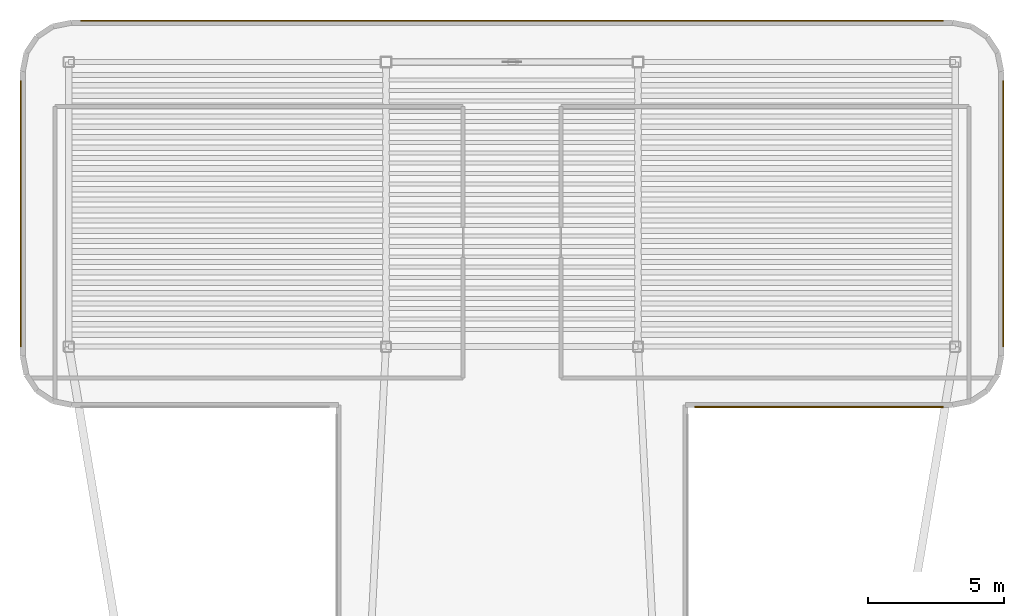
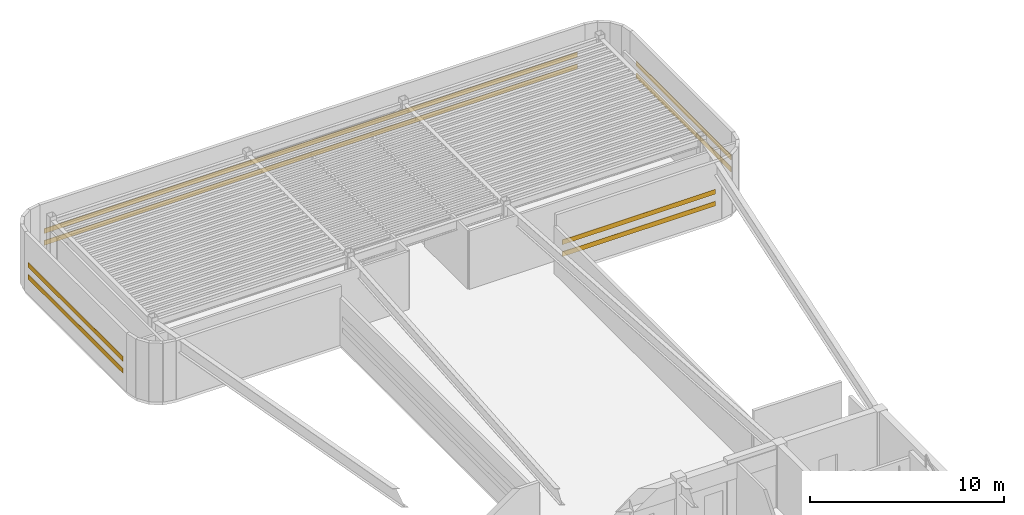
# One storey, part 6 of 6: 8 shading devices.
"""IFC4 building model written with IfcOpenShell, lengths in metres."""

from ifc_helpers import new_model, si_unit, direction, frame, origin, origin_2d, place, context, subcontext, project, spatial, rectangle, extrude, source, transform, mapped, material, material_profile, profile_set, type_object, element, save


model = new_model("IFC4")

# Units and contexts
model_context = context("Model", 3, precision=1e-05, world=origin(), true_north=direction((0.0, 1.0)))
body_context = subcontext(model_context, "Body", "Model", "MODEL_VIEW")
ifc_project = project(units=[si_unit("LENGTHUNIT", "METRE"), si_unit("AREAUNIT", "SQUARE_METRE"), si_unit("VOLUMEUNIT", "CUBIC_METRE"), si_unit("PLANEANGLEUNIT", "RADIAN"), si_unit("MASSUNIT", "GRAM", prefix="KILO")], contexts=[model_context])

# Site, building, storey
site_placement = place(None, origin())
site = spatial("IfcSite", under=ifc_project, at=site_placement, CompositionType="ELEMENT")
building_placement = place(site_placement, origin())
building = spatial("IfcBuilding", under=site, at=building_placement, Name="Brelvock Crest Care Tower", CompositionType="ELEMENT")
storey_placement = place(building_placement, frame((0.0, 0.0, 303.840087890625)))
storey = spatial("IfcBuildingStorey", under=building, at=storey_placement, Name="L77", CompositionType="ELEMENT", Elevation=303.840087890625)

# Shading devices
ifc_material = material(Name="Aluminium 6063-T6", Category="aluminium")
ifc_material_profile_1 = material_profile(ifc_material, rectangle(XDim=0.044921875, YDim=0.300048828125, at=origin_2d()), Name="LOUVRE45x300")
ifc_profile_set_1 = profile_set([ifc_material_profile_1], Name="Aluminium 6063-T6")
shading_device_type_1 = type_object("IfcShadingDeviceType", Name="SHD-LV1", PredefinedType="JALOUSIE", material=ifc_profile_set_1)
shared_shape_1 = source(origin(), body_context, "Body", "SweptSolid", [
    extrude(rectangle(XDim=0.044921875, YDim=0.300048828125, at=origin_2d()), origin(), (0.0, 0.0, 1.0), 9.800048828125),
])
for number, where, z_axis, x_axis, name in (
    (1, (17.875, 43.949951171875, 1.099853515625), (0.0, 1.0, 0.0), (-1.0, 0.0, 0.0), "L77 Crown Acoustic Louvre 18-1"),
    (2, (17.875, 43.949951171875, 1.849853515625), (0.0, 1.0, 0.0), (-1.0, 0.0, 0.0), "L77 Crown Acoustic Louvre 18-2"),
    (3, (54.125, 53.75, 1.099853515625), (0.0, -1.0, 0.0), (1.0, 0.0, 0.0), "L77 Crown Acoustic Louvre 28-1"),
    (4, (54.125, 53.75, 1.849853515625), (0.0, -1.0, 0.0), (1.0, 0.0, 0.0), "L77 Crown Acoustic Louvre 28-2"),
):
    element("IfcShadingDevice", number, at=place(storey_placement, frame(where, z_axis=z_axis, x_axis=x_axis)), inside=storey, type_object=shading_device_type_1, Name=name, PredefinedType="JALOUSIE", context=body_context, shape_type="MappedRepresentation", body=[
        mapped(shared_shape_1, transform((0.0, 0.0, 0.0), x_axis=(1.0, 0.0, 0.0), y_axis=(0.0, 1.0, 0.0), z_axis=(0.0, 0.0, 1.0), scale=1.0)),
    ])
ifc_material_profile_2 = material_profile(ifc_material, rectangle(XDim=0.044921875, YDim=0.300048828125, at=origin_2d()), Name="LOUVRE45x300")
ifc_profile_set_2 = profile_set([ifc_material_profile_2], Name="Aluminium 6063-T6")
shading_device_type_2 = type_object("IfcShadingDeviceType", Name="SHD-SH1", PredefinedType="SHUTTER", material=ifc_profile_set_2)
shared_shape_2 = source(origin(), body_context, "Body", "SweptSolid", [
    extrude(rectangle(XDim=0.044921875, YDim=0.300048828125, at=origin_2d()), origin(), (0.0, 0.0, 1.0), 9.14990234375),
])
for number, where, z_axis, x_axis, name in (
    (5, (51.89990234375, 41.72509765625, 1.099853515625), (-1.0, 0.0, 0.0), (0.0, -1.0, 0.0), "L77 Crown Acoustic Louvre 33-1"),
    (6, (51.89990234375, 41.72509765625, 1.849853515625), (-1.0, 0.0, 0.0), (0.0, -1.0, 0.0), "L77 Crown Acoustic Louvre 33-2"),
):
    element("IfcShadingDevice", number, at=place(storey_placement, frame(where, z_axis=z_axis, x_axis=x_axis)), inside=storey, type_object=shading_device_type_2, Name=name, PredefinedType="SHUTTER", context=body_context, shape_type="MappedRepresentation", body=[
        mapped(shared_shape_2, transform((0.0, 0.0, 0.0), x_axis=(1.0, 0.0, 0.0), y_axis=(0.0, 1.0, 0.0), z_axis=(0.0, 0.0, 1.0), scale=1.0)),
    ])
shared_shape_3 = source(origin(), body_context, "Body", "SweptSolid", [
    extrude(rectangle(XDim=0.044921875, YDim=0.300048828125, at=origin_2d()), origin(), (0.0, 0.0, 1.0), 31.7998046875),
])
for number, where, z_axis, x_axis, name in (
    (7, (20.10009765625, 55.97509765625, 1.099853515625), (1.0, 0.0, 0.0), (0.0, 1.0, 0.0), "L77 Crown Acoustic Louvre 23-1"),
    (8, (20.10009765625, 55.97509765625, 1.849853515625), (1.0, 0.0, 0.0), (0.0, 1.0, 0.0), "L77 Crown Acoustic Louvre 23-2"),
):
    element("IfcShadingDevice", number, at=place(storey_placement, frame(where, z_axis=z_axis, x_axis=x_axis)), inside=storey, type_object=shading_device_type_2, Name=name, PredefinedType="SHUTTER", context=body_context, shape_type="MappedRepresentation", body=[
        mapped(shared_shape_3, transform((0.0, 0.0, 0.0), x_axis=(1.0, 0.0, 0.0), y_axis=(0.0, 1.0, 0.0), z_axis=(0.0, 0.0, 1.0), scale=1.0)),
    ])

save(model, "model.ifc")
